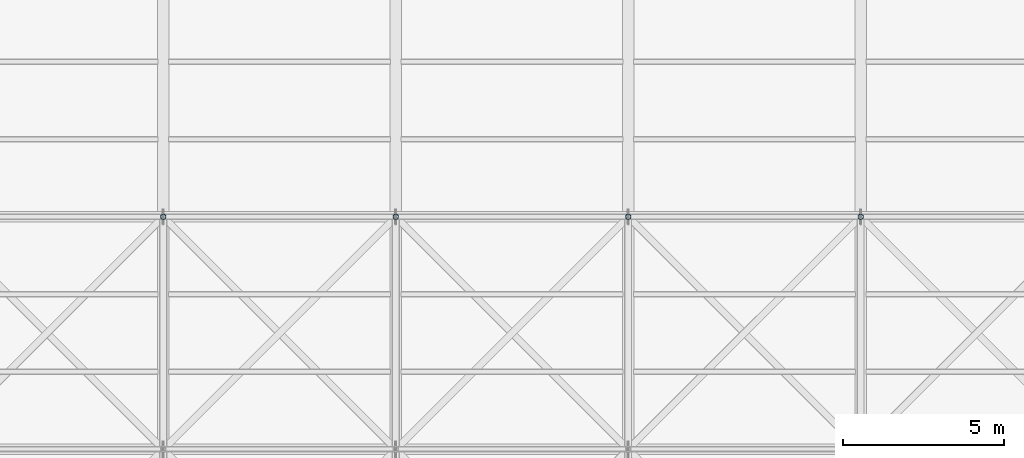
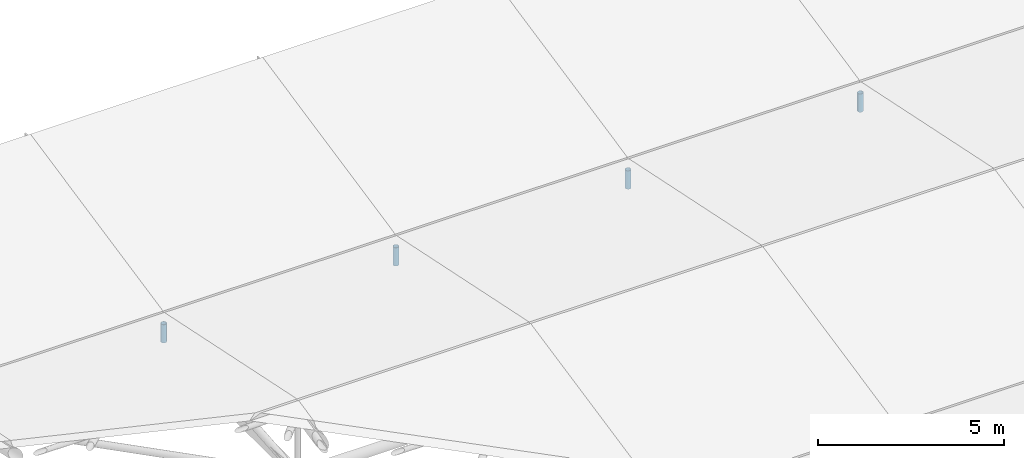
# One storey, part 53 of 72: 4 members.
"""IFC4 building model written with IfcOpenShell, lengths in metres."""

from ifc_helpers import new_model, si_unit, direction, frame, origin, origin_2d, place, context, subcontext, project, spatial, hollow_circle, extrude, material, material_profile, profile_set, type_object, element, save


model = new_model("IFC4")

# Units and contexts
model_context = context("Model", 3, precision=1e-05, world=origin(), true_north=direction((0.0, 1.0)))
body_context = subcontext(model_context, "Body", "Model", "MODEL_VIEW")
ifc_project = project(units=[si_unit("LENGTHUNIT", "METRE"), si_unit("AREAUNIT", "SQUARE_METRE"), si_unit("VOLUMEUNIT", "CUBIC_METRE"), si_unit("PLANEANGLEUNIT", "RADIAN"), si_unit("MASSUNIT", "GRAM", prefix="KILO")], contexts=[model_context])

# Site, building, storey
site_placement = place(None, origin())
site = spatial("IfcSite", under=ifc_project, at=site_placement, CompositionType="ELEMENT")
building_placement = place(site_placement, origin())
building = spatial("IfcBuilding", under=site, at=building_placement, Name="Vaelcorin Mobility Hub", CompositionType="ELEMENT")
storey_placement = place(building_placement, frame((0.0, 0.0, 25.800048828125)))
storey = spatial("IfcBuildingStorey", under=building, at=storey_placement, Name="RF", CompositionType="ELEMENT", Elevation=25.800048828125)

# Members
ifc_material = material(Name="Steel ASTM A500 Grade C", Category="steel")
ifc_material_profile = material_profile(ifc_material, hollow_circle(Radius=0.084228515625, WallThickness=0.0078125, at=origin_2d()), Name="HSS6.625X0.312")
ifc_profile_set = profile_set([ifc_material_profile], Name="Steel ASTM A500 Grade C")
member_type = type_object("IfcMemberType", Name="TR-POST-6", PredefinedType="POST", material=ifc_profile_set)
for number, where, z_axis, x_axis, name in (
    (1, (72.0, 112.800048828125, -2.10009765625), (0.0, 0.0, 1.0), (1.0, 0.0, 0.0), "Sports Pavilion Roof Truss Post 5-4"),
    (2, (79.199951171875, 112.800048828125, -2.10009765625), (0.0, 0.0, 1.0), (1.0, 0.0, 0.0), "Sports Pavilion Roof Truss Post 6-4"),
    (3, (86.39990234375, 112.800048828125, -2.10009765625), (0.0, 0.0, 1.0), (1.0, 0.0, 0.0), "Sports Pavilion Roof Truss Post 7-4"),
    (4, (93.60009765625, 112.800048828125, -2.10009765625), (0.0, 0.0, 1.0), (1.0, 0.0, 0.0), "Sports Pavilion Roof Truss Post 8-4"),
):
    element("IfcMember", number, at=place(storey_placement, frame(where, z_axis=z_axis, x_axis=x_axis)), inside=storey, type_object=member_type, Name=name, PredefinedType="POST", context=body_context, shape_type="SweptSolid", body=[
        extrude(hollow_circle(Radius=0.084228515625, WallThickness=0.0078125, at=origin_2d()), origin(), (0.0, 0.0, 1.0), 0.60009765625),
    ])

save(model, "model.ifc")
